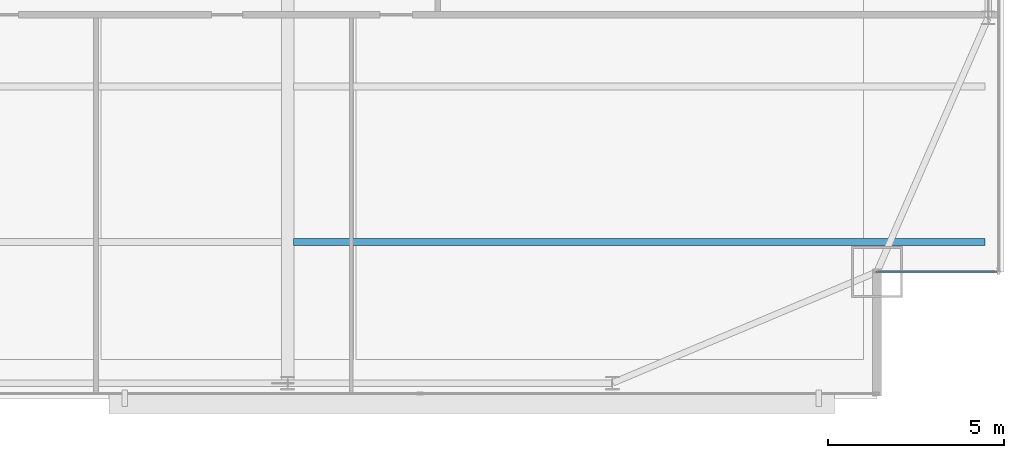
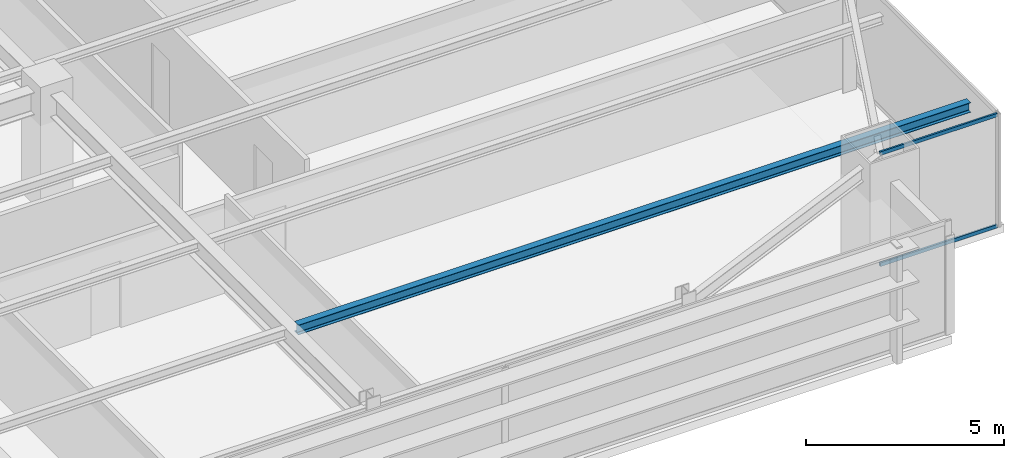
# One storey, part 15 of 33: 2 members, 1 beam, 1 element without a shape of its own.
"""IFC4 building model written with IfcOpenShell, lengths in metres."""

from ifc_helpers import new_model, si_unit, direction, frame, origin, origin_2d, place, context, subcontext, project, spatial, hollow_rectangle, i_section, extrude, source, transform, mapped, material, layer, layer_set, material_profile, profile_set, type_object, type_shapes, element, aggregate, save


model = new_model("IFC4")

# Units and contexts
model_context = context("Model", 3, precision=1e-05, world=origin(), true_north=direction((0.0, 1.0)))
body_context = subcontext(model_context, "Body", "Model", "MODEL_VIEW")
ifc_project = project(units=[si_unit("LENGTHUNIT", "METRE"), si_unit("AREAUNIT", "SQUARE_METRE"), si_unit("VOLUMEUNIT", "CUBIC_METRE"), si_unit("PLANEANGLEUNIT", "RADIAN"), si_unit("MASSUNIT", "GRAM", prefix="KILO")], contexts=[model_context])

# Site, building, storey
site_placement = place(None, origin())
site = spatial("IfcSite", under=ifc_project, at=site_placement, CompositionType="ELEMENT")
building_placement = place(site_placement, origin())
building = spatial("IfcBuilding", under=site, at=building_placement, Name="Varnel Quay Broadcast Tower", CompositionType="ELEMENT")
storey_placement = place(building_placement, frame((0.0, 0.0, 137.199951171875)))
storey = spatial("IfcBuildingStorey", under=building, at=storey_placement, Name="L33", CompositionType="ELEMENT", Elevation=137.199951171875)

# Beam
ifc_material_1 = material(Name="Structural Steel CSA G40.21 350W", Category="steel")
ifc_material_profile_1 = material_profile(ifc_material_1, i_section(OverallWidth=0.202880859375, OverallDepth=0.302978515625, WebThickness=0.007568359375, FlangeThickness=0.01318359375, FilletRadius=0.011962890625, at=origin_2d()), Name="W310X60")
ifc_profile_set_1 = profile_set([ifc_material_profile_1], Name="Structural Steel CSA G40.21 350W")
beam_type = type_object("IfcBeamType", Name="Beam_W310X60", PredefinedType="JOIST", material=ifc_profile_set_1)
shared_shape_1 = source(origin(), body_context, "Body", "SweptSolid", [
    extrude(i_section(OverallWidth=0.202880859375, OverallDepth=0.302978515625, WebThickness=0.007568359375, FlangeThickness=0.01318359375, FilletRadius=0.011962890625, at=origin_2d()), origin(), (0.0, 0.0, 1.0), 19.592041015625),
])
type_shapes(beam_type, [shared_shape_1])
beam_placement = place(storey_placement, frame((43.37255859375, 8.64990234375, 3.32861328125), z_axis=(1.0, 0.0, 0.0), x_axis=(0.0, 1.0, 0.0)))
element("IfcBeam", 1, at=beam_placement, inside=storey, type_object=beam_type, Name="L33 East Floor Joist 1", PredefinedType="JOIST", context=body_context, shape_type="MappedRepresentation", body=[
    mapped(shared_shape_1, transform((0.0, 0.0, 0.0), x_axis=(1.0, 0.0, 0.0), y_axis=(0.0, 1.0, 0.0), z_axis=(0.0, 0.0, 1.0), scale=1.0)),
])

# Curtain wall, members
ifc_material_2 = material(Name="Anodised Bronze Aluminium 6063-T6", Category="aluminium")
ifc_layer = layer(ifc_material_2, 0.18994140625, Name="Anodised Bronze Aluminium 6063-T6")
ifc_layer_set = layer_set([ifc_layer], Name="Anodised Bronze Aluminium 6063-T6")
curtain_wall_type = type_object("IfcCurtainWallType", Name="CW_NotchCorner", PredefinedType="NOTDEFINED", material=ifc_layer_set)
curtain_wall_placement = place(storey_placement, origin())
curtain_wall = element("IfcCurtainWall", 2, at=curtain_wall_placement, inside=storey, type_object=curtain_wall_type, Name="L33 SE Notch Curtain Wall", PredefinedType="NOTDEFINED")
ifc_material_profile_2 = material_profile(ifc_material_2, hollow_rectangle(XDim=0.054931640625, YDim=0.110107421875, WallThickness=0.0029296875, at=origin_2d()), Name="ALU55X110X3")
ifc_profile_set_2 = profile_set([ifc_material_profile_2], Name="Anodised Bronze Aluminium 6063-T6")
member_type = type_object("IfcMemberType", Name="Tran_CWS-04", PredefinedType="USERDEFINED", material=ifc_profile_set_2)
shared_shape_2 = source(origin(), body_context, "Body", "SweptSolid", [
    extrude(hollow_rectangle(XDim=0.054931640625, YDim=0.110107421875, WallThickness=0.0029296875, at=origin_2d()), origin(), (0.0, 0.0, 1.0), 3.41015625),
])
type_shapes(member_type, [shared_shape_2])
member_1_placement = place(storey_placement, frame((59.8798828125, 7.800048828125, 0.027587890625), z_axis=(1.0, 0.0, 0.0), x_axis=(0.0, 1.0, 0.0)))
member_1 = element("IfcMember", 3, at=member_1_placement, type_object=member_type, Name="CWS-04 transom 1.1", ObjectType="TRANSOM", PredefinedType="USERDEFINED", context=body_context, shape_type="MappedRepresentation", body=[
    mapped(shared_shape_2, transform((0.0, 0.0, 0.0), x_axis=(1.0, 0.0, 0.0), y_axis=(0.0, 1.0, 0.0), z_axis=(0.0, 0.0, 1.0), scale=1.0)),
])
member_2_placement = place(storey_placement, frame((59.8798828125, 7.800048828125, 3.45263671875), z_axis=(1.0, 0.0, 0.0), x_axis=(0.0, 1.0, 0.0)))
member_2 = element("IfcMember", 4, at=member_2_placement, type_object=member_type, Name="CWS-04 transom 1.2", ObjectType="TRANSOM", PredefinedType="USERDEFINED", context=body_context, shape_type="MappedRepresentation", body=[
    mapped(shared_shape_2, transform((0.0, 0.0, 0.0), x_axis=(1.0, 0.0, 0.0), y_axis=(0.0, 1.0, 0.0), z_axis=(0.0, 0.0, 1.0), scale=1.0)),
])
aggregate(curtain_wall, [member_1, member_2])

save(model, "model.ifc")
